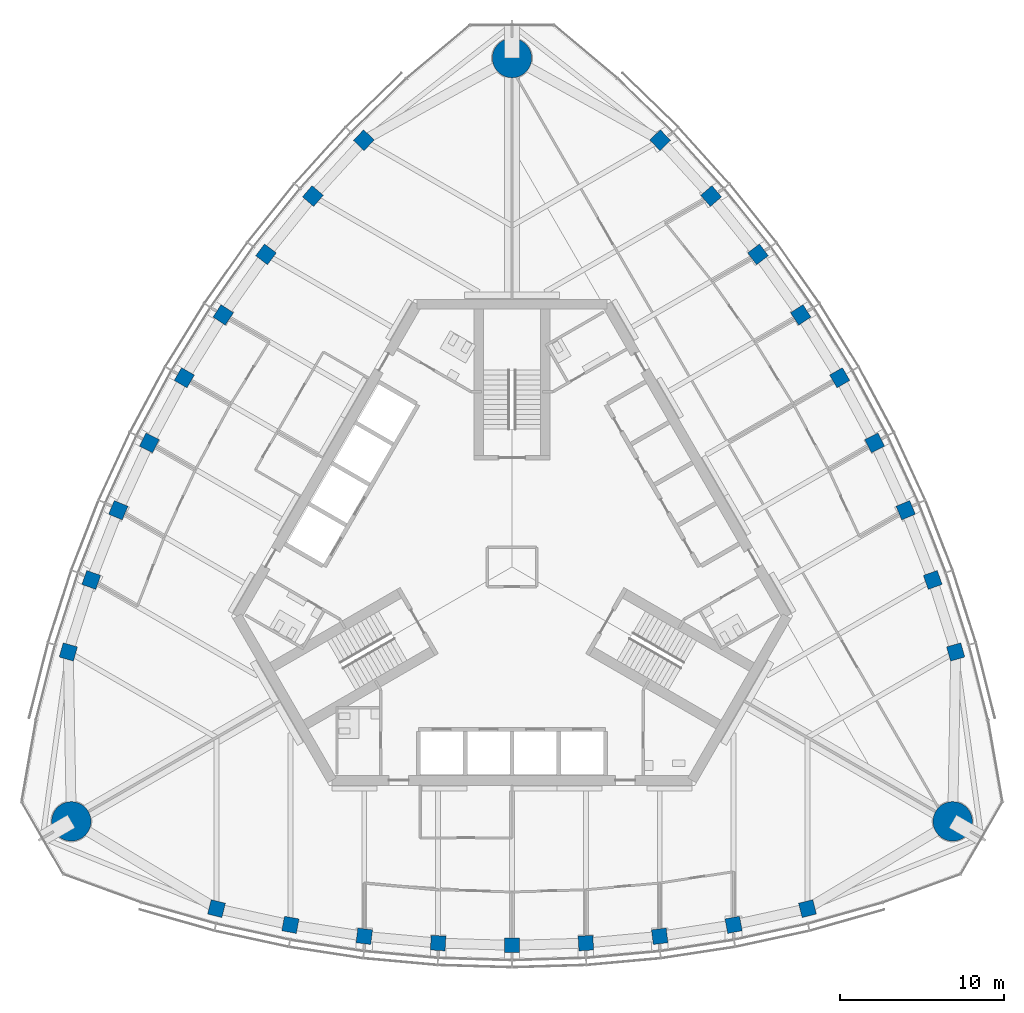
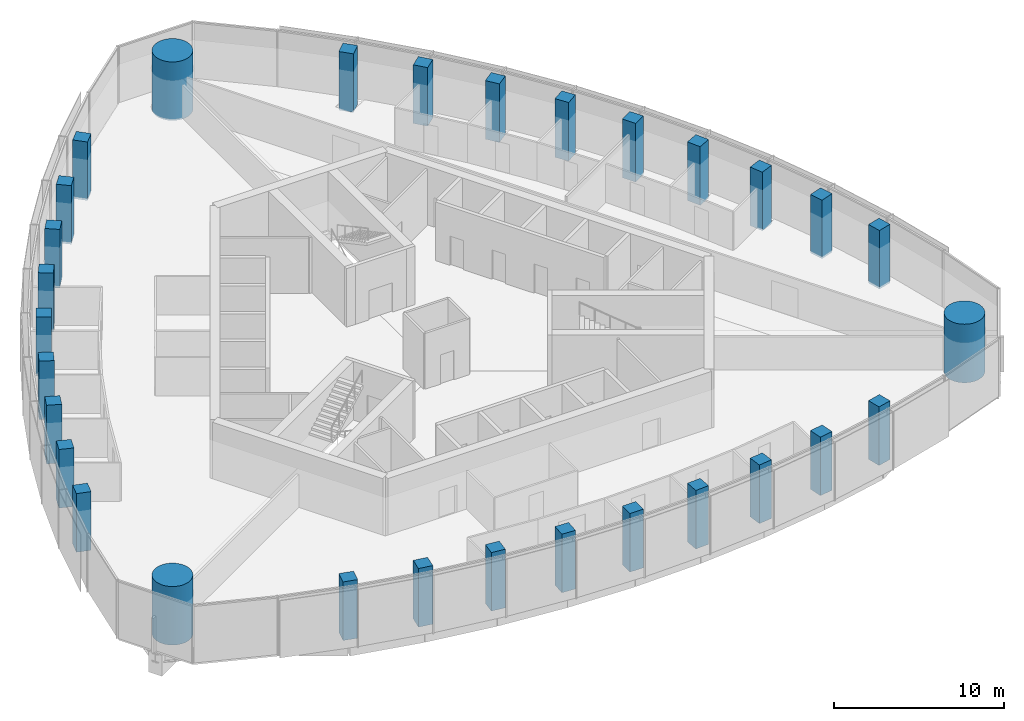
# One storey, part 1 of 16: 30 columns.
"""IFC4 building model written with IfcOpenShell, lengths in metres."""

from ifc_helpers import new_model, si_unit, direction, frame, origin, origin_2d, place, context, subcontext, project, spatial, rectangle, circle, extrude, material, material_profile, profile_set, type_object, element, save


model = new_model("IFC4")

# Units and contexts
model_context = context("Model", 3, precision=1e-05, world=origin(), true_north=direction((0.0, 1.0)))
body_context = subcontext(model_context, "Body", "Model", "MODEL_VIEW")
ifc_project = project(units=[si_unit("LENGTHUNIT", "METRE"), si_unit("AREAUNIT", "SQUARE_METRE"), si_unit("VOLUMEUNIT", "CUBIC_METRE"), si_unit("PLANEANGLEUNIT", "RADIAN"), si_unit("MASSUNIT", "GRAM", prefix="KILO")], contexts=[model_context])

# Site, building, storey
site_placement = place(None, origin())
site = spatial("IfcSite", under=ifc_project, at=site_placement, CompositionType="ELEMENT")
building_placement = place(site_placement, origin())
building = spatial("IfcBuilding", under=site, at=building_placement, Name="Trefoil Bronze Tower", CompositionType="ELEMENT")
storey_placement = place(building_placement, frame((0.0, 0.0, 301.5)))
storey = spatial("IfcBuildingStorey", under=building, at=storey_placement, Name="L69", CompositionType="ELEMENT", Elevation=301.5)

# Columns
ifc_material_1 = material(Name="Concrete B80", Category="concrete")
ifc_material_profile_1 = material_profile(ifc_material_1, circle(Radius=1.199951171875, at=origin_2d()), Name="RC D2400")
ifc_profile_set_1 = profile_set([ifc_material_profile_1], Name="Concrete B80")
column_type_1 = type_object("IfcColumnType", Name="Mega column RC D2400", PredefinedType="COLUMN", material=ifc_profile_set_1)
for number, where, z_axis, x_axis, name in (
    (1, (26.8466796875, -15.5, 0.0), (0.0, 0.0, 1.0), (1.0, 0.0, 0.0), "Mega column K1 L69"),
    (2, (0.0, 31.0, 0.0), (0.0, 0.0, 1.0), (1.0, 0.0, 0.0), "Mega column K2 L69"),
    (3, (-26.8466796875, -15.5, 0.0), (0.0, 0.0, 1.0), (1.0, 0.0, 0.0), "Mega column K3 L69"),
):
    element("IfcColumn", number, at=place(storey_placement, frame(where, z_axis=z_axis, x_axis=x_axis)), inside=storey, type_object=column_type_1, Name=name, PredefinedType="COLUMN", context=body_context, shape_type="SweptSolid", body=[
        extrude(circle(Radius=1.199951171875, at=origin_2d()), origin(), (0.0, 0.0, 1.0), 4.199951171875),
    ])
ifc_material_2 = material(Name="Concrete B80", Category="concrete")
ifc_material_profile_2 = material_profile(ifc_material_2, rectangle(XDim=0.89990234375, YDim=0.89990234375, at=origin_2d()), Name="RC 900x900")
ifc_profile_set_2 = profile_set([ifc_material_profile_2], Name="Concrete B80")
column_type_2 = type_object("IfcColumnType", Name="Tube column RC 900x900", PredefinedType="COLUMN", material=ifc_profile_set_2)
for number, where, z_axis, x_axis, name in (
    (4, (-18.0, -20.816162109375, 0.0), (0.0, 0.0, 1.0), (0.97017777199, -0.242394494031, 0.0), "Tube column F1/-4 L69"),
    (5, (-13.5, -21.802734375, 0.0), (0.0, 0.0, 1.0), (0.983360067227, -0.181667218242, 0.0), "Tube column F1/-3 L69"),
    (6, (-9.0, -22.499267578125, 0.0), (0.0, 0.0, 1.0), (0.992639174109, -0.121109330868, 0.0), "Tube column F1/-2 L69"),
    (7, (-4.5, -22.913818359375, 0.0), (0.0, 0.0, 1.0), (0.998164920349, -0.060554040199, 0.0), "Tube column F1/-1 L69"),
    (8, (0.0, -23.051513671875, 0.0), (0.0, 0.0, 1.0), (1.0, 0.0, 0.0), "Tube column F1/+0 L69"),
    (9, (4.5, -22.913818359375, 0.0), (0.0, 0.0, 1.0), (0.998164920349, 0.060554040199, 0.0), "Tube column F1/+1 L69"),
    (10, (9.0, -22.499267578125, 0.0), (0.0, 0.0, 1.0), (0.992639174109, 0.121109330868, 0.0), "Tube column F1/+2 L69"),
    (11, (13.5, -21.802734375, 0.0), (0.0, 0.0, 1.0), (0.983360067227, 0.181667218242, 0.0), "Tube column F1/+3 L69"),
    (12, (18.0, -20.816162109375, 0.0), (0.0, 0.0, 1.0), (0.97017777199, 0.242394494031, 0.0), "Tube column F1/+4 L69"),
    (13, (27.02734375, -5.180419921875, 0.0), (0.0, 0.0, 1.0), (-0.275169096426, 0.961395843746, 0.0), "Tube column F2/-4 L69"),
    (14, (25.631591796875, -0.7900390625, 0.0), (0.0, 0.0, 1.0), (-0.334351607581, 0.942448408407, 0.0), "Tube column F2/-3 L69"),
    (15, (23.98486328125, 3.455322265625, 0.0), (0.0, 0.0, 1.0), (-0.391435829888, 0.920205407004, 0.0), "Tube column F2/-2 L69"),
    (16, (22.093994140625, 7.559814453125, 0.0), (0.0, 0.0, 1.0), (-0.44664112306, 0.894713198289, 0.0), "Tube column F2/-1 L69"),
    (17, (19.96337890625, 11.52587890625, 0.0), (0.0, 0.0, 1.0), (-0.5, 0.866025403784, 0.0), "Tube column F2/+0 L69"),
    (18, (17.593994140625, 15.35400390625, 0.0), (0.0, 0.0, 1.0), (-0.551523797289, 0.834159158089, 0.0), "Tube column F2/+1 L69"),
    (19, (14.98486328125, 19.043701171875, 0.0), (0.0, 0.0, 1.0), (-0.601203344222, 0.799096076136, 0.0), "Tube column F2/+2 L69"),
    (20, (12.131591796875, 22.5927734375, 0.0), (0.0, 0.0, 1.0), (-0.649008459646, 0.760781190165, 0.0), "Tube column F2/+3 L69"),
    (21, (9.02734375, 25.99658203125, 0.0), (0.0, 0.0, 1.0), (-0.695008675564, 0.719001349715, 0.0), "Tube column F2/+4 L69"),
    (22, (-9.02734375, 25.99658203125, 0.0), (0.0, 0.0, 1.0), (-0.695008675564, -0.719001349715, 0.0), "Tube column F3/-4 L69"),
    (23, (-12.131591796875, 22.5927734375, 0.0), (0.0, 0.0, 1.0), (-0.649008459646, -0.760781190165, 0.0), "Tube column F3/-3 L69"),
    (24, (-14.98486328125, 19.043701171875, 0.0), (0.0, 0.0, 1.0), (-0.601203344222, -0.799096076136, 0.0), "Tube column F3/-2 L69"),
    (25, (-17.593994140625, 15.35400390625, 0.0), (0.0, 0.0, 1.0), (-0.551523797289, -0.834159158089, 0.0), "Tube column F3/-1 L69"),
    (26, (-19.96337890625, 11.52587890625, 0.0), (0.0, 0.0, 1.0), (-0.5, -0.866025403784, 0.0), "Tube column F3/+0 L69"),
    (27, (-22.093994140625, 7.559814453125, 0.0), (0.0, 0.0, 1.0), (-0.44664112306, -0.894713198289, 0.0), "Tube column F3/+1 L69"),
    (28, (-23.98486328125, 3.455322265625, 0.0), (0.0, 0.0, 1.0), (-0.391435829888, -0.920205407004, 0.0), "Tube column F3/+2 L69"),
    (29, (-25.631591796875, -0.7900390625, 0.0), (0.0, 0.0, 1.0), (-0.334351607581, -0.942448408407, 0.0), "Tube column F3/+3 L69"),
    (30, (-27.02734375, -5.180419921875, 0.0), (0.0, 0.0, 1.0), (-0.275169096426, -0.961395843746, 0.0), "Tube column F3/+4 L69"),
):
    element("IfcColumn", number, at=place(storey_placement, frame(where, z_axis=z_axis, x_axis=x_axis)), inside=storey, type_object=column_type_2, Name=name, PredefinedType="COLUMN", context=body_context, shape_type="SweptSolid", body=[
        extrude(rectangle(XDim=0.89990234375, YDim=0.89990234375, at=origin_2d()), origin(), (0.0, 0.0, 1.0), 4.199951171875),
    ])

save(model, "model.ifc")
